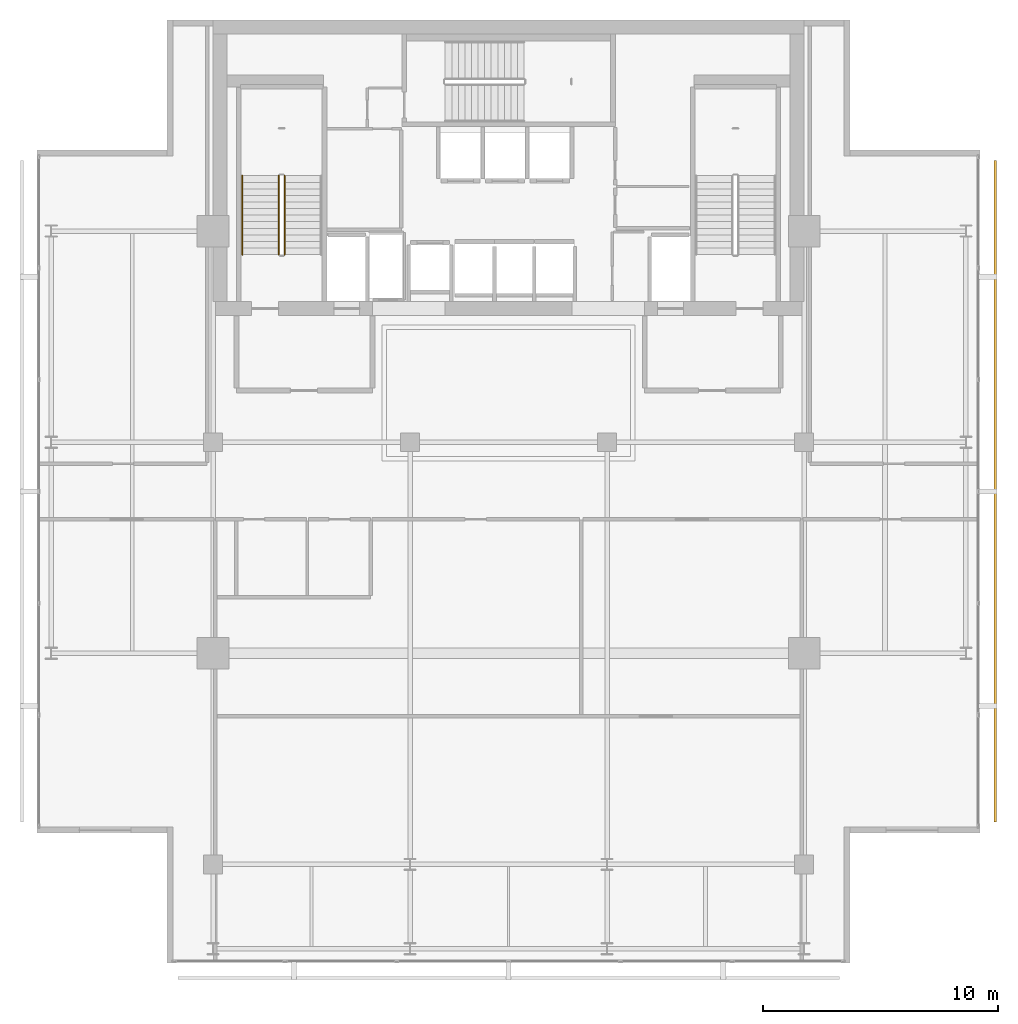
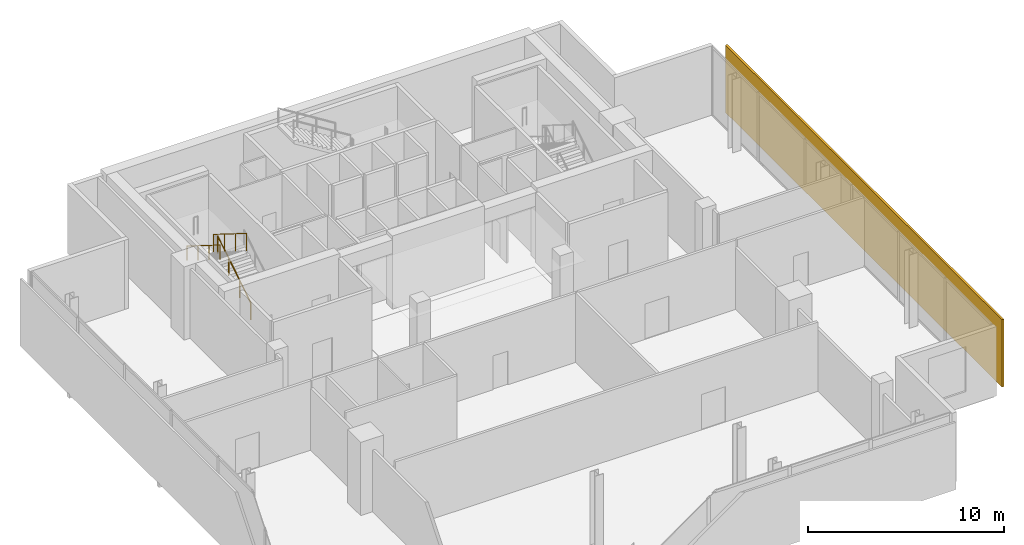
# One storey, part 22 of 23: 3 railings, 1 shading device.
"""IFC4 building model written with IfcOpenShell, lengths in metres."""

from ifc_helpers import new_model, si_unit, direction, frame, origin, origin_2d, place, context, subcontext, project, spatial, rectangle, circle, extrude, material, layer, layer_set, type_object, element, save


model = new_model("IFC4")

# Units and contexts
model_context = context("Model", 3, precision=1e-05, world=origin(), true_north=direction((0.0, 1.0)))
body_context = subcontext(model_context, "Body", "Model", "MODEL_VIEW")
ifc_project = project(units=[si_unit("LENGTHUNIT", "METRE"), si_unit("AREAUNIT", "SQUARE_METRE"), si_unit("VOLUMEUNIT", "CUBIC_METRE"), si_unit("PLANEANGLEUNIT", "RADIAN"), si_unit("MASSUNIT", "GRAM", prefix="KILO")], contexts=[model_context])

# Site, building, storey
site_placement = place(None, origin())
site = spatial("IfcSite", under=ifc_project, at=site_placement, CompositionType="ELEMENT")
building_placement = place(site_placement, origin())
building = spatial("IfcBuilding", under=site, at=building_placement, Name="Maruvema Waterfront Hotel and Observation Tower", CompositionType="ELEMENT")
storey_placement = place(building_placement, frame((0.0, 0.0, 345.10009765625)))
storey = spatial("IfcBuildingStorey", under=building, at=storey_placement, Name="L85", CompositionType="ELEMENT", Elevation=345.10009765625)

# Railings
ifc_material_1 = material(Name="Brushed stainless steel Grade 316", Category="steel")
railing_type_1 = type_object("IfcRailingType", Name="Ramp Continuous Wall Handrail 920 mm", PredefinedType="HANDRAIL", material=ifc_material_1)
railing_1_placement = place(storey_placement, frame((26.449951171875, 47.360107421875, 2.449951171875)))
element("IfcRailing", 1, at=railing_1_placement, inside=storey, type_object=railing_type_1, Name="L85 ST-01 stair handrail 2", PredefinedType="HANDRAIL", context=body_context, shape_type="SweptSolid", body=[
    extrude(circle(Radius=0.02392578125, at=origin_2d()), frame((0.0, 0.0, 0.89599609375), z_axis=(0.0, -0.848022534174, 0.529960169762), x_axis=(1.0, 0.0, 0.0)), (0.0, 0.0, 1.0), 3.96240234375),
    extrude(circle(Radius=0.02099609375, at=origin_2d()), origin(), (0.0, 0.0, 1.0), 0.871826171875),
    extrude(circle(Radius=0.02099609375, at=origin_2d()), frame((0.0, -1.1201171875, 0.699951171875)), (0.0, 0.0, 1.0), 0.871826171875),
    extrude(circle(Radius=0.02099609375, at=origin_2d()), frame((0.0, -2.239990234375, 1.39990234375)), (0.0, 0.0, 1.0), 0.871826171875),
    extrude(circle(Radius=0.02099609375, at=origin_2d()), frame((0.0, -3.360107421875, 2.099853515625)), (0.0, 0.0, 1.0), 0.871826171875),
])
ifc_material_2 = material(Name="Brushed stainless steel Grade 316", Category="steel")
railing_type_2 = type_object("IfcRailingType", Name="Ramp and Terrace Guard Balustrade 1100 mm", PredefinedType="BALUSTRADE", material=ifc_material_2)
railing_2_placement = place(storey_placement, frame((28.25, 44.0, 0.1748046875)))
element("IfcRailing", 2, at=railing_2_placement, inside=storey, type_object=railing_type_2, Name="L85 ST-01 stair guard 1", PredefinedType="BALUSTRADE", context=body_context, shape_type="SweptSolid", body=[
    extrude(circle(Radius=0.02392578125, at=origin_2d()), frame((0.0, 0.0, 1.076171875), z_axis=(0.0, 0.847994842521, 0.530004478338), x_axis=(-1.0, 0.0, 0.0)), (0.0, 0.0, 1.0), 3.96240234375),
    extrude(circle(Radius=0.02099609375, at=origin_2d()), origin(), (0.0, 0.0, 1.0), 1.052001953125),
    extrude(circle(Radius=0.02099609375, at=origin_2d()), frame((0.0, 1.1201171875, 0.699951171875)), (0.0, 0.0, 1.0), 1.052001953125),
    extrude(circle(Radius=0.02099609375, at=origin_2d()), frame((0.0, 2.239990234375, 1.400146484375)), (0.0, 0.0, 1.0), 1.052001953125),
    extrude(circle(Radius=0.02099609375, at=origin_2d()), frame((0.0, 3.360107421875, 2.10009765625)), (0.0, 0.0, 1.0), 1.052001953125),
])
railing_3_placement = place(storey_placement, frame((28.0, 47.360107421875, 2.449951171875)))
element("IfcRailing", 3, at=railing_3_placement, inside=storey, type_object=railing_type_2, Name="L85 ST-01 stair guard 3", PredefinedType="BALUSTRADE", context=body_context, shape_type="SweptSolid", body=[
    extrude(circle(Radius=0.02392578125, at=origin_2d()), frame((0.0, 0.0, 1.076171875), z_axis=(0.0, -0.848022534174, 0.529960169762), x_axis=(1.0, 0.0, 0.0)), (0.0, 0.0, 1.0), 3.96240234375),
    extrude(circle(Radius=0.02099609375, at=origin_2d()), origin(), (0.0, 0.0, 1.0), 1.052001953125),
    extrude(circle(Radius=0.02099609375, at=origin_2d()), frame((0.0, -1.1201171875, 0.699951171875)), (0.0, 0.0, 1.0), 1.052001953125),
    extrude(circle(Radius=0.02099609375, at=origin_2d()), frame((0.0, -2.239990234375, 1.39990234375)), (0.0, 0.0, 1.0), 1.052001953125),
    extrude(circle(Radius=0.02099609375, at=origin_2d()), frame((0.0, -3.360107421875, 2.099853515625)), (0.0, 0.0, 1.0), 1.052001953125),
])

# Shading device
ifc_material_3 = material(Name="Honed travertine stone and anodised architectural bronze", Category="masonry")
ifc_layer = layer(ifc_material_3, 0.1201171875, Name="Ventilated Outer Skin Cobogo Stone-and-Bronze Screen 120 mm")
ifc_layer_set = layer_set([ifc_layer], Name="Honed travertine stone and anodised architectural bronze")
shading_device_type = type_object("IfcShadingDeviceType", Name="Ventilated Outer Skin Cobogo Stone-and-Bronze Screen 120 mm", PredefinedType="USERDEFINED", material=ifc_layer_set)
shading_device_placement = place(storey_placement, frame((58.550048828125, 33.89990234375, 0.059814453125), z_axis=(0.0, 0.0, 1.0), x_axis=(0.0, 1.0, 0.0)))
element("IfcShadingDevice", 4, at=shading_device_placement, inside=storey, type_object=shading_device_type, Name="L85 Ventilated Double-Skin Outer Cobogo Screen OS-L85-E", ObjectType="OUTER SKIN SCREEN", PredefinedType="USERDEFINED", context=body_context, shape_type="SweptSolid", body=[
    extrude(rectangle(XDim=28.199951171875, YDim=0.1201171875, at=origin_2d()), origin(), (0.0, 0.0, 1.0), 4.18994140625),
])

save(model, "model.ifc")
